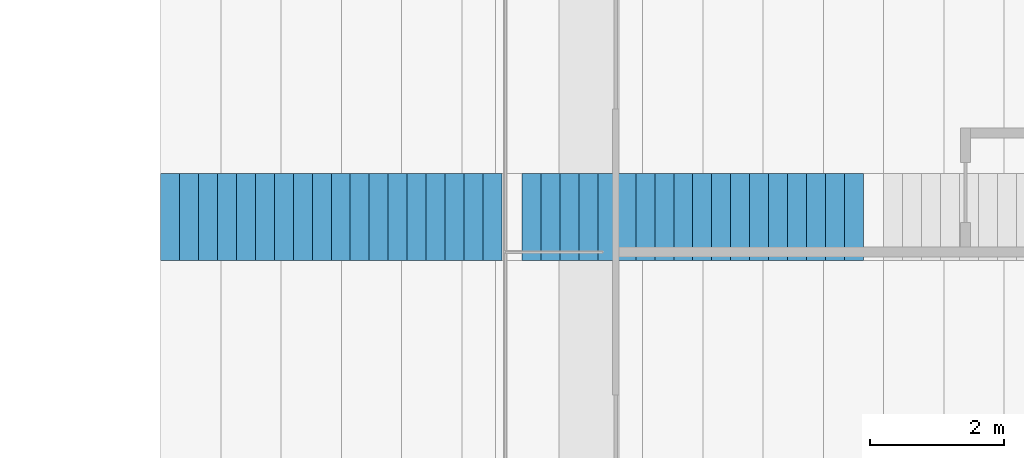
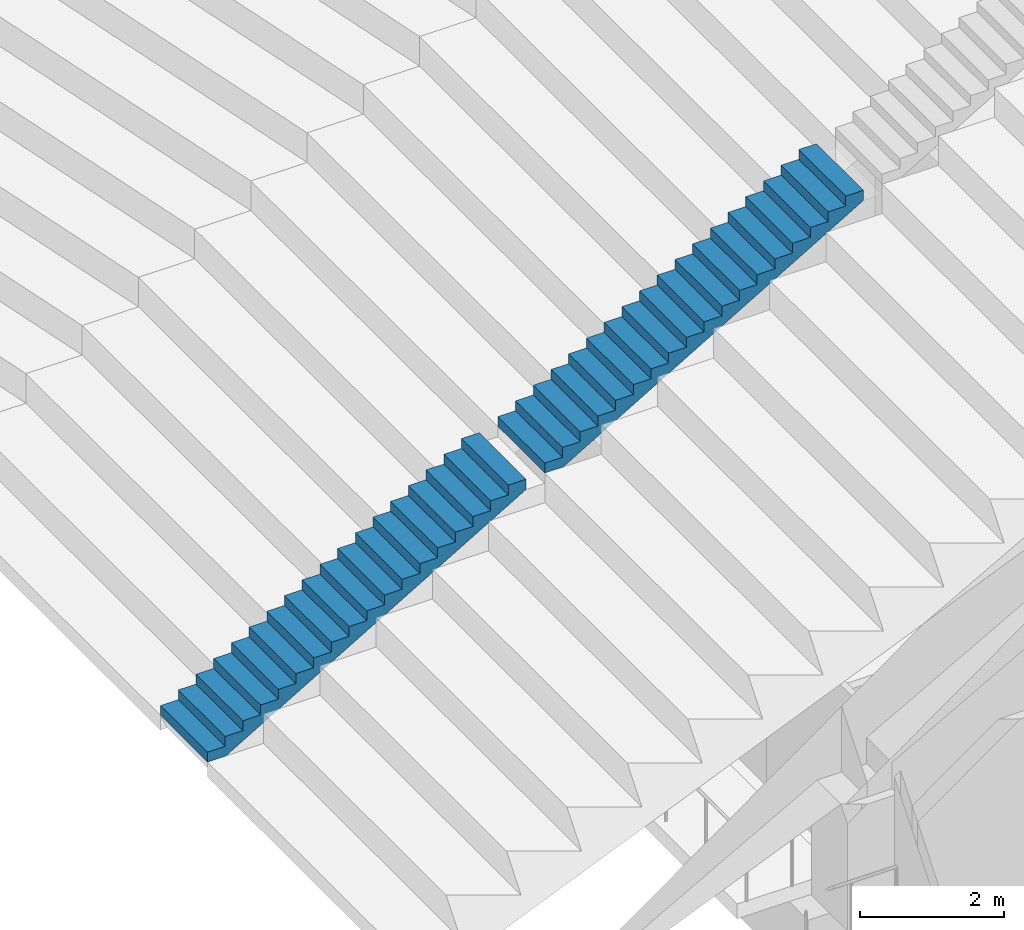
# One storey, part 219 of 249: 2 stair flights, 1 element without a shape of its own.
"""IFC4 building model written with IfcOpenShell, lengths in metres."""

from ifc_helpers import new_model, si_unit, direction, frame, origin, place, context, subcontext, project, spatial, faceted_brep, material, type_object, element, aggregate, save


model = new_model("IFC4")

# Units and contexts
model_context = context("Model", 3, precision=1e-05, world=origin(), true_north=direction((0.0, 1.0)))
body_context = subcontext(model_context, "Body", "Model", "MODEL_VIEW")
ifc_project = project(units=[si_unit("LENGTHUNIT", "METRE"), si_unit("AREAUNIT", "SQUARE_METRE"), si_unit("VOLUMEUNIT", "CUBIC_METRE"), si_unit("PLANEANGLEUNIT", "RADIAN"), si_unit("MASSUNIT", "GRAM", prefix="KILO")], contexts=[model_context])

# Site, building, storey
site_placement = place(None, origin())
site = spatial("IfcSite", under=ifc_project, at=site_placement, CompositionType="ELEMENT")
building_placement = place(site_placement, origin())
building = spatial("IfcBuilding", under=site, at=building_placement, Name="Ogive Plaza Stadium", CompositionType="ELEMENT")
storey_placement = place(building_placement, frame((0.0, 0.0, 13.5)))
storey = spatial("IfcBuildingStorey", under=building, at=storey_placement, Name="L03", CompositionType="ELEMENT", Elevation=13.5)

# Stair, stair flights
ifc_material_1 = material(Name="Concrete C40/50", Category="concrete")
stair_type = type_object("IfcStairType", Name="Aisle stair", PredefinedType="STRAIGHT_RUN_STAIR", material=ifc_material_1)
stair_placement = place(storey_placement, origin())
stair = element("IfcStair", 1, at=stair_placement, inside=storey, type_object=stair_type, Name="Aisle stair SA01U", PredefinedType="STRAIGHT_RUN_STAIR")
ifc_material_2 = material(Name="Concrete C40/50", Category="concrete")
stair_flight_type = type_object("IfcStairFlightType", Name="Aisle stair flight", PredefinedType="STRAIGHT", material=ifc_material_2)
stair_flight_1_placement = place(storey_placement, frame((55.5, 45.0, 0.5), z_axis=(0.0, 0.0, 1.0), x_axis=(1.0, 0.0, 0.0)))
stair_flight_1 = element("IfcStairFlight", 2, at=stair_flight_1_placement, type_object=stair_flight_type, Name="SA01U flight 1", NumberOfRisers=18, NumberOfTreads=17, PredefinedType="STRAIGHT", RiserHeight=0.166666667, TreadLength=0.283333333, context=body_context, shape_type="Brep", body=[
    faceted_brep([(0.295654296875, -0.64990234375, 0.0), (5.10009765625, -0.64990234375, 2.826171875), (5.10009765625, -0.64990234375, 3.0), (4.816650390625, -0.64990234375, 3.0), (4.816650390625, -0.64990234375, 2.833251953125), (4.533447265625, -0.64990234375, 2.833251953125), (4.533447265625, -0.64990234375, 2.666748046875), (4.25, -0.64990234375, 2.666748046875), (4.25, -0.64990234375, 2.5), (3.966552734375, -0.64990234375, 2.5), (3.966552734375, -0.64990234375, 2.333251953125), (3.683349609375, -0.64990234375, 2.333251953125), (3.683349609375, -0.64990234375, 2.166748046875), (3.39990234375, -0.64990234375, 2.166748046875), (3.39990234375, -0.64990234375, 2.0), (3.11669921875, -0.64990234375, 2.0), (3.11669921875, -0.64990234375, 1.833251953125), (2.833251953125, -0.64990234375, 1.833251953125), (2.833251953125, -0.64990234375, 1.666748046875), (2.550048828125, -0.64990234375, 1.666748046875), (2.550048828125, -0.64990234375, 1.5), (2.2666015625, -0.64990234375, 1.5), (2.2666015625, -0.64990234375, 1.333251953125), (1.9833984375, -0.64990234375, 1.333251953125), (1.9833984375, -0.64990234375, 1.166748046875), (1.699951171875, -0.64990234375, 1.166748046875), (1.699951171875, -0.64990234375, 1.0), (1.416748046875, -0.64990234375, 1.0), (1.416748046875, -0.64990234375, 0.833251953125), (1.13330078125, -0.64990234375, 0.833251953125), (1.13330078125, -0.64990234375, 0.666748046875), (0.85009765625, -0.64990234375, 0.666748046875), (0.85009765625, -0.64990234375, 0.5), (0.566650390625, -0.64990234375, 0.5), (0.566650390625, -0.64990234375, 0.333251953125), (0.283447265625, -0.64990234375, 0.333251953125), (0.283447265625, -0.64990234375, 0.166748046875), (0.0, -0.64990234375, 0.166748046875), (0.0, -0.64990234375, 0.0), (0.0, 0.64990234375, 0.0), (0.0, 0.64990234375, 0.166748046875), (0.283447265625, 0.64990234375, 0.166748046875), (0.283447265625, 0.64990234375, 0.333251953125), (0.566650390625, 0.64990234375, 0.333251953125), (0.566650390625, 0.64990234375, 0.5), (0.85009765625, 0.64990234375, 0.5), (0.85009765625, 0.64990234375, 0.666748046875), (1.13330078125, 0.64990234375, 0.666748046875), (1.13330078125, 0.64990234375, 0.833251953125), (1.416748046875, 0.64990234375, 0.833251953125), (1.416748046875, 0.64990234375, 1.0), (1.699951171875, 0.64990234375, 1.0), (1.699951171875, 0.64990234375, 1.166748046875), (1.9833984375, 0.64990234375, 1.166748046875), (1.9833984375, 0.64990234375, 1.333251953125), (2.2666015625, 0.64990234375, 1.333251953125), (2.2666015625, 0.64990234375, 1.5), (2.550048828125, 0.64990234375, 1.5), (2.550048828125, 0.64990234375, 1.666748046875), (2.833251953125, 0.64990234375, 1.666748046875), (2.833251953125, 0.64990234375, 1.833251953125), (3.11669921875, 0.64990234375, 1.833251953125), (3.11669921875, 0.64990234375, 2.0), (3.39990234375, 0.64990234375, 2.0), (3.39990234375, 0.64990234375, 2.166748046875), (3.683349609375, 0.64990234375, 2.166748046875), (3.683349609375, 0.64990234375, 2.333251953125), (3.966552734375, 0.64990234375, 2.333251953125), (3.966552734375, 0.64990234375, 2.5), (4.25, 0.64990234375, 2.5), (4.25, 0.64990234375, 2.666748046875), (4.533447265625, 0.64990234375, 2.666748046875), (4.533447265625, 0.64990234375, 2.833251953125), (4.816650390625, 0.64990234375, 2.833251953125), (4.816650390625, 0.64990234375, 3.0), (5.10009765625, 0.64990234375, 3.0), (5.10009765625, 0.64990234375, 2.826171875), (0.295654296875, 0.64990234375, 0.0), (0.295654296875, -0.324951171875, 0.0), (5.10009765625, -0.324951171875, 2.826171875), (0.295654296875, 0.0, 0.0), (5.10009765625, 0.0, 2.826171875), (0.295654296875, 0.324951171875, 0.0), (5.10009765625, 0.324951171875, 2.826171875), (5.10009765625, -0.324951171875, 3.0), (5.10009765625, 0.0, 3.0), (5.10009765625, 0.324951171875, 3.0), (4.816650390625, -0.324951171875, 3.0), (4.816650390625, 0.0, 3.0), (4.816650390625, 0.324951171875, 3.0), (4.816650390625, -0.324951171875, 2.833251953125), (4.816650390625, 0.0, 2.833251953125), (4.816650390625, 0.324951171875, 2.833251953125), (4.533447265625, -0.324951171875, 2.833251953125), (4.533447265625, 0.0, 2.833251953125), (4.533447265625, 0.324951171875, 2.833251953125), (4.533447265625, -0.324951171875, 2.666748046875), (4.533447265625, 0.0, 2.666748046875), (4.533447265625, 0.324951171875, 2.666748046875), (4.25, -0.324951171875, 2.666748046875), (4.25, 0.0, 2.666748046875), (4.25, 0.324951171875, 2.666748046875), (4.25, -0.324951171875, 2.5), (4.25, 0.0, 2.5), (4.25, 0.324951171875, 2.5), (3.966552734375, -0.324951171875, 2.5), (3.966552734375, 0.0, 2.5), (3.966552734375, 0.324951171875, 2.5), (3.966552734375, -0.324951171875, 2.333251953125), (3.966552734375, 0.0, 2.333251953125), (3.966552734375, 0.324951171875, 2.333251953125), (3.683349609375, -0.324951171875, 2.333251953125), (3.683349609375, 0.0, 2.333251953125), (3.683349609375, 0.324951171875, 2.333251953125), (3.683349609375, -0.324951171875, 2.166748046875), (3.683349609375, 0.0, 2.166748046875), (3.683349609375, 0.324951171875, 2.166748046875), (3.39990234375, -0.324951171875, 2.166748046875), (3.39990234375, 0.0, 2.166748046875), (3.39990234375, 0.324951171875, 2.166748046875), (3.39990234375, -0.324951171875, 2.0), (3.39990234375, 0.0, 2.0), (3.39990234375, 0.324951171875, 2.0), (3.11669921875, -0.324951171875, 2.0), (3.11669921875, 0.0, 2.0), (3.11669921875, 0.324951171875, 2.0), (3.11669921875, -0.324951171875, 1.833251953125), (3.11669921875, 0.0, 1.833251953125), (3.11669921875, 0.324951171875, 1.833251953125), (2.833251953125, -0.324951171875, 1.833251953125), (2.833251953125, 0.0, 1.833251953125), (2.833251953125, 0.324951171875, 1.833251953125), (2.833251953125, -0.324951171875, 1.666748046875), (2.833251953125, 0.0, 1.666748046875), (2.833251953125, 0.324951171875, 1.666748046875), (2.550048828125, -0.324951171875, 1.666748046875), (2.550048828125, 0.0, 1.666748046875), (2.550048828125, 0.324951171875, 1.666748046875), (2.550048828125, -0.324951171875, 1.5), (2.550048828125, 0.0, 1.5), (2.550048828125, 0.324951171875, 1.5), (2.2666015625, -0.324951171875, 1.5), (2.2666015625, 0.0, 1.5), (2.2666015625, 0.324951171875, 1.5), (2.2666015625, -0.324951171875, 1.333251953125), (2.2666015625, 0.0, 1.333251953125), (2.2666015625, 0.324951171875, 1.333251953125), (1.9833984375, -0.324951171875, 1.333251953125), (1.9833984375, 0.0, 1.333251953125), (1.9833984375, 0.324951171875, 1.333251953125), (1.9833984375, -0.324951171875, 1.166748046875), (1.9833984375, 0.0, 1.166748046875), (1.9833984375, 0.324951171875, 1.166748046875), (1.699951171875, -0.324951171875, 1.166748046875), (1.699951171875, 0.0, 1.166748046875), (1.699951171875, 0.324951171875, 1.166748046875), (1.699951171875, -0.324951171875, 1.0), (1.699951171875, 0.0, 1.0), (1.699951171875, 0.324951171875, 1.0), (1.416748046875, -0.324951171875, 1.0), (1.416748046875, 0.0, 1.0), (1.416748046875, 0.324951171875, 1.0), (1.416748046875, -0.324951171875, 0.833251953125), (1.416748046875, 0.0, 0.833251953125), (1.416748046875, 0.324951171875, 0.833251953125), (1.13330078125, -0.324951171875, 0.833251953125), (1.13330078125, 0.0, 0.833251953125), (1.13330078125, 0.324951171875, 0.833251953125), (1.13330078125, -0.324951171875, 0.666748046875), (1.13330078125, 0.0, 0.666748046875), (1.13330078125, 0.324951171875, 0.666748046875), (0.85009765625, -0.324951171875, 0.666748046875), (0.85009765625, 0.0, 0.666748046875), (0.85009765625, 0.324951171875, 0.666748046875), (0.85009765625, -0.324951171875, 0.5), (0.85009765625, 0.0, 0.5), (0.85009765625, 0.324951171875, 0.5), (0.566650390625, -0.324951171875, 0.5), (0.566650390625, 0.0, 0.5), (0.566650390625, 0.324951171875, 0.5), (0.566650390625, -0.324951171875, 0.333251953125), (0.566650390625, 0.0, 0.333251953125), (0.566650390625, 0.324951171875, 0.333251953125), (0.283447265625, -0.324951171875, 0.333251953125), (0.283447265625, 0.0, 0.333251953125), (0.283447265625, 0.324951171875, 0.333251953125), (0.283447265625, -0.324951171875, 0.166748046875), (0.283447265625, 0.0, 0.166748046875), (0.283447265625, 0.324951171875, 0.166748046875), (0.0, -0.324951171875, 0.166748046875), (0.0, 0.0, 0.166748046875), (0.0, 0.324951171875, 0.166748046875), (0.0, -0.324951171875, 0.0), (0.0, 0.0, 0.0), (0.0, 0.324951171875, 0.0)], [[[0, 1, 2, 3, 4, 5, 6, 7, 8, 9, 10, 11, 12, 13, 14, 15, 16, 17, 18, 19, 20, 21, 22, 23, 24, 25, 26, 27, 28, 29, 30, 31, 32, 33, 34, 35, 36, 37, 38]], [[39, 40, 41, 42, 43, 44, 45, 46, 47, 48, 49, 50, 51, 52, 53, 54, 55, 56, 57, 58, 59, 60, 61, 62, 63, 64, 65, 66, 67, 68, 69, 70, 71, 72, 73, 74, 75, 76, 77]], [[0, 78, 79, 1]], [[78, 80, 81, 79]], [[80, 82, 83, 81]], [[82, 77, 76, 83]], [[1, 79, 84, 2]], [[79, 81, 85, 84]], [[81, 83, 86, 85]], [[83, 76, 75, 86]], [[2, 84, 87, 3]], [[84, 85, 88, 87]], [[85, 86, 89, 88]], [[86, 75, 74, 89]], [[3, 87, 90, 4]], [[87, 88, 91, 90]], [[88, 89, 92, 91]], [[89, 74, 73, 92]], [[4, 90, 93, 5]], [[90, 91, 94, 93]], [[91, 92, 95, 94]], [[92, 73, 72, 95]], [[5, 93, 96, 6]], [[93, 94, 97, 96]], [[94, 95, 98, 97]], [[95, 72, 71, 98]], [[6, 96, 99, 7]], [[96, 97, 100, 99]], [[97, 98, 101, 100]], [[98, 71, 70, 101]], [[7, 99, 102, 8]], [[99, 100, 103, 102]], [[100, 101, 104, 103]], [[101, 70, 69, 104]], [[8, 102, 105, 9]], [[102, 103, 106, 105]], [[103, 104, 107, 106]], [[104, 69, 68, 107]], [[9, 105, 108, 10]], [[105, 106, 109, 108]], [[106, 107, 110, 109]], [[107, 68, 67, 110]], [[10, 108, 111, 11]], [[108, 109, 112, 111]], [[109, 110, 113, 112]], [[110, 67, 66, 113]], [[11, 111, 114, 12]], [[111, 112, 115, 114]], [[112, 113, 116, 115]], [[113, 66, 65, 116]], [[12, 114, 117, 13]], [[114, 115, 118, 117]], [[115, 116, 119, 118]], [[116, 65, 64, 119]], [[13, 117, 120, 14]], [[117, 118, 121, 120]], [[118, 119, 122, 121]], [[119, 64, 63, 122]], [[14, 120, 123, 15]], [[120, 121, 124, 123]], [[121, 122, 125, 124]], [[122, 63, 62, 125]], [[15, 123, 126, 16]], [[123, 124, 127, 126]], [[124, 125, 128, 127]], [[125, 62, 61, 128]], [[16, 126, 129, 17]], [[126, 127, 130, 129]], [[127, 128, 131, 130]], [[128, 61, 60, 131]], [[17, 129, 132, 18]], [[129, 130, 133, 132]], [[130, 131, 134, 133]], [[131, 60, 59, 134]], [[18, 132, 135, 19]], [[132, 133, 136, 135]], [[133, 134, 137, 136]], [[134, 59, 58, 137]], [[19, 135, 138, 20]], [[135, 136, 139, 138]], [[136, 137, 140, 139]], [[137, 58, 57, 140]], [[20, 138, 141, 21]], [[138, 139, 142, 141]], [[139, 140, 143, 142]], [[140, 57, 56, 143]], [[21, 141, 144, 22]], [[141, 142, 145, 144]], [[142, 143, 146, 145]], [[143, 56, 55, 146]], [[22, 144, 147, 23]], [[144, 145, 148, 147]], [[145, 146, 149, 148]], [[146, 55, 54, 149]], [[23, 147, 150, 24]], [[147, 148, 151, 150]], [[148, 149, 152, 151]], [[149, 54, 53, 152]], [[24, 150, 153, 25]], [[150, 151, 154, 153]], [[151, 152, 155, 154]], [[152, 53, 52, 155]], [[25, 153, 156, 26]], [[153, 154, 157, 156]], [[154, 155, 158, 157]], [[155, 52, 51, 158]], [[26, 156, 159, 27]], [[156, 157, 160, 159]], [[157, 158, 161, 160]], [[158, 51, 50, 161]], [[27, 159, 162, 28]], [[159, 160, 163, 162]], [[160, 161, 164, 163]], [[161, 50, 49, 164]], [[28, 162, 165, 29]], [[162, 163, 166, 165]], [[163, 164, 167, 166]], [[164, 49, 48, 167]], [[29, 165, 168, 30]], [[165, 166, 169, 168]], [[166, 167, 170, 169]], [[167, 48, 47, 170]], [[30, 168, 171, 31]], [[168, 169, 172, 171]], [[169, 170, 173, 172]], [[170, 47, 46, 173]], [[31, 171, 174, 32]], [[171, 172, 175, 174]], [[172, 173, 176, 175]], [[173, 46, 45, 176]], [[32, 174, 177, 33]], [[174, 175, 178, 177]], [[175, 176, 179, 178]], [[176, 45, 44, 179]], [[33, 177, 180, 34]], [[177, 178, 181, 180]], [[178, 179, 182, 181]], [[179, 44, 43, 182]], [[34, 180, 183, 35]], [[180, 181, 184, 183]], [[181, 182, 185, 184]], [[182, 43, 42, 185]], [[35, 183, 186, 36]], [[183, 184, 187, 186]], [[184, 185, 188, 187]], [[185, 42, 41, 188]], [[36, 186, 189, 37]], [[186, 187, 190, 189]], [[187, 188, 191, 190]], [[188, 41, 40, 191]], [[37, 189, 192, 38]], [[189, 190, 193, 192]], [[190, 191, 194, 193]], [[191, 40, 39, 194]], [[38, 192, 78, 0]], [[192, 193, 80, 78]], [[193, 194, 82, 80]], [[194, 39, 77, 82]]]),
])
stair_flight_2_placement = place(storey_placement, frame((60.89990234375, 45.0, 3.5), z_axis=(0.0, 0.0, 1.0), x_axis=(1.0, 0.0, 0.0)))
stair_flight_2 = element("IfcStairFlight", 3, at=stair_flight_2_placement, type_object=stair_flight_type, Name="SA01U flight 2", NumberOfRisers=18, NumberOfTreads=17, PredefinedType="STRAIGHT", RiserHeight=0.166666667, TreadLength=0.283333333, context=body_context, shape_type="Brep", body=[
    faceted_brep([(0.295654296875, -0.64990234375, 0.0), (5.10009765625, -0.64990234375, 2.826171875), (5.10009765625, -0.64990234375, 3.0), (4.816650390625, -0.64990234375, 3.0), (4.816650390625, -0.64990234375, 2.833251953125), (4.533447265625, -0.64990234375, 2.833251953125), (4.533447265625, -0.64990234375, 2.666748046875), (4.25, -0.64990234375, 2.666748046875), (4.25, -0.64990234375, 2.5), (3.966552734375, -0.64990234375, 2.5), (3.966552734375, -0.64990234375, 2.333251953125), (3.683349609375, -0.64990234375, 2.333251953125), (3.683349609375, -0.64990234375, 2.166748046875), (3.39990234375, -0.64990234375, 2.166748046875), (3.39990234375, -0.64990234375, 2.0), (3.11669921875, -0.64990234375, 2.0), (3.11669921875, -0.64990234375, 1.833251953125), (2.833251953125, -0.64990234375, 1.833251953125), (2.833251953125, -0.64990234375, 1.666748046875), (2.550048828125, -0.64990234375, 1.666748046875), (2.550048828125, -0.64990234375, 1.5), (2.2666015625, -0.64990234375, 1.5), (2.2666015625, -0.64990234375, 1.333251953125), (1.9833984375, -0.64990234375, 1.333251953125), (1.9833984375, -0.64990234375, 1.166748046875), (1.699951171875, -0.64990234375, 1.166748046875), (1.699951171875, -0.64990234375, 1.0), (1.416748046875, -0.64990234375, 1.0), (1.416748046875, -0.64990234375, 0.833251953125), (1.13330078125, -0.64990234375, 0.833251953125), (1.13330078125, -0.64990234375, 0.666748046875), (0.85009765625, -0.64990234375, 0.666748046875), (0.85009765625, -0.64990234375, 0.5), (0.566650390625, -0.64990234375, 0.5), (0.566650390625, -0.64990234375, 0.333251953125), (0.283447265625, -0.64990234375, 0.333251953125), (0.283447265625, -0.64990234375, 0.166748046875), (0.0, -0.64990234375, 0.166748046875), (0.0, -0.64990234375, 0.0), (0.0, 0.64990234375, 0.0), (0.0, 0.64990234375, 0.166748046875), (0.283447265625, 0.64990234375, 0.166748046875), (0.283447265625, 0.64990234375, 0.333251953125), (0.566650390625, 0.64990234375, 0.333251953125), (0.566650390625, 0.64990234375, 0.5), (0.85009765625, 0.64990234375, 0.5), (0.85009765625, 0.64990234375, 0.666748046875), (1.13330078125, 0.64990234375, 0.666748046875), (1.13330078125, 0.64990234375, 0.833251953125), (1.416748046875, 0.64990234375, 0.833251953125), (1.416748046875, 0.64990234375, 1.0), (1.699951171875, 0.64990234375, 1.0), (1.699951171875, 0.64990234375, 1.166748046875), (1.9833984375, 0.64990234375, 1.166748046875), (1.9833984375, 0.64990234375, 1.333251953125), (2.2666015625, 0.64990234375, 1.333251953125), (2.2666015625, 0.64990234375, 1.5), (2.550048828125, 0.64990234375, 1.5), (2.550048828125, 0.64990234375, 1.666748046875), (2.833251953125, 0.64990234375, 1.666748046875), (2.833251953125, 0.64990234375, 1.833251953125), (3.11669921875, 0.64990234375, 1.833251953125), (3.11669921875, 0.64990234375, 2.0), (3.39990234375, 0.64990234375, 2.0), (3.39990234375, 0.64990234375, 2.166748046875), (3.683349609375, 0.64990234375, 2.166748046875), (3.683349609375, 0.64990234375, 2.333251953125), (3.966552734375, 0.64990234375, 2.333251953125), (3.966552734375, 0.64990234375, 2.5), (4.25, 0.64990234375, 2.5), (4.25, 0.64990234375, 2.666748046875), (4.533447265625, 0.64990234375, 2.666748046875), (4.533447265625, 0.64990234375, 2.833251953125), (4.816650390625, 0.64990234375, 2.833251953125), (4.816650390625, 0.64990234375, 3.0), (5.10009765625, 0.64990234375, 3.0), (5.10009765625, 0.64990234375, 2.826171875), (0.295654296875, 0.64990234375, 0.0), (0.295654296875, -0.324951171875, 0.0), (5.10009765625, -0.324951171875, 2.826171875), (0.295654296875, 0.0, 0.0), (5.10009765625, 0.0, 2.826171875), (0.295654296875, 0.324951171875, 0.0), (5.10009765625, 0.324951171875, 2.826171875), (5.10009765625, -0.324951171875, 3.0), (5.10009765625, 0.0, 3.0), (5.10009765625, 0.324951171875, 3.0), (4.816650390625, -0.324951171875, 3.0), (4.816650390625, 0.0, 3.0), (4.816650390625, 0.324951171875, 3.0), (4.816650390625, -0.324951171875, 2.833251953125), (4.816650390625, 0.0, 2.833251953125), (4.816650390625, 0.324951171875, 2.833251953125), (4.533447265625, -0.324951171875, 2.833251953125), (4.533447265625, 0.0, 2.833251953125), (4.533447265625, 0.324951171875, 2.833251953125), (4.533447265625, -0.324951171875, 2.666748046875), (4.533447265625, 0.0, 2.666748046875), (4.533447265625, 0.324951171875, 2.666748046875), (4.25, -0.324951171875, 2.666748046875), (4.25, 0.0, 2.666748046875), (4.25, 0.324951171875, 2.666748046875), (4.25, -0.324951171875, 2.5), (4.25, 0.0, 2.5), (4.25, 0.324951171875, 2.5), (3.966552734375, -0.324951171875, 2.5), (3.966552734375, 0.0, 2.5), (3.966552734375, 0.324951171875, 2.5), (3.966552734375, -0.324951171875, 2.333251953125), (3.966552734375, 0.0, 2.333251953125), (3.966552734375, 0.324951171875, 2.333251953125), (3.683349609375, -0.324951171875, 2.333251953125), (3.683349609375, 0.0, 2.333251953125), (3.683349609375, 0.324951171875, 2.333251953125), (3.683349609375, -0.324951171875, 2.166748046875), (3.683349609375, 0.0, 2.166748046875), (3.683349609375, 0.324951171875, 2.166748046875), (3.39990234375, -0.324951171875, 2.166748046875), (3.39990234375, 0.0, 2.166748046875), (3.39990234375, 0.324951171875, 2.166748046875), (3.39990234375, -0.324951171875, 2.0), (3.39990234375, 0.0, 2.0), (3.39990234375, 0.324951171875, 2.0), (3.11669921875, -0.324951171875, 2.0), (3.11669921875, 0.0, 2.0), (3.11669921875, 0.324951171875, 2.0), (3.11669921875, -0.324951171875, 1.833251953125), (3.11669921875, 0.0, 1.833251953125), (3.11669921875, 0.324951171875, 1.833251953125), (2.833251953125, -0.324951171875, 1.833251953125), (2.833251953125, 0.0, 1.833251953125), (2.833251953125, 0.324951171875, 1.833251953125), (2.833251953125, -0.324951171875, 1.666748046875), (2.833251953125, 0.0, 1.666748046875), (2.833251953125, 0.324951171875, 1.666748046875), (2.550048828125, -0.324951171875, 1.666748046875), (2.550048828125, 0.0, 1.666748046875), (2.550048828125, 0.324951171875, 1.666748046875), (2.550048828125, -0.324951171875, 1.5), (2.550048828125, 0.0, 1.5), (2.550048828125, 0.324951171875, 1.5), (2.2666015625, -0.324951171875, 1.5), (2.2666015625, 0.0, 1.5), (2.2666015625, 0.324951171875, 1.5), (2.2666015625, -0.324951171875, 1.333251953125), (2.2666015625, 0.0, 1.333251953125), (2.2666015625, 0.324951171875, 1.333251953125), (1.9833984375, -0.324951171875, 1.333251953125), (1.9833984375, 0.0, 1.333251953125), (1.9833984375, 0.324951171875, 1.333251953125), (1.9833984375, -0.324951171875, 1.166748046875), (1.9833984375, 0.0, 1.166748046875), (1.9833984375, 0.324951171875, 1.166748046875), (1.699951171875, -0.324951171875, 1.166748046875), (1.699951171875, 0.0, 1.166748046875), (1.699951171875, 0.324951171875, 1.166748046875), (1.699951171875, -0.324951171875, 1.0), (1.699951171875, 0.0, 1.0), (1.699951171875, 0.324951171875, 1.0), (1.416748046875, -0.324951171875, 1.0), (1.416748046875, 0.0, 1.0), (1.416748046875, 0.324951171875, 1.0), (1.416748046875, -0.324951171875, 0.833251953125), (1.416748046875, 0.0, 0.833251953125), (1.416748046875, 0.324951171875, 0.833251953125), (1.13330078125, -0.324951171875, 0.833251953125), (1.13330078125, 0.0, 0.833251953125), (1.13330078125, 0.324951171875, 0.833251953125), (1.13330078125, -0.324951171875, 0.666748046875), (1.13330078125, 0.0, 0.666748046875), (1.13330078125, 0.324951171875, 0.666748046875), (0.85009765625, -0.324951171875, 0.666748046875), (0.85009765625, 0.0, 0.666748046875), (0.85009765625, 0.324951171875, 0.666748046875), (0.85009765625, -0.324951171875, 0.5), (0.85009765625, 0.0, 0.5), (0.85009765625, 0.324951171875, 0.5), (0.566650390625, -0.324951171875, 0.5), (0.566650390625, 0.0, 0.5), (0.566650390625, 0.324951171875, 0.5), (0.566650390625, -0.324951171875, 0.333251953125), (0.566650390625, 0.0, 0.333251953125), (0.566650390625, 0.324951171875, 0.333251953125), (0.283447265625, -0.324951171875, 0.333251953125), (0.283447265625, 0.0, 0.333251953125), (0.283447265625, 0.324951171875, 0.333251953125), (0.283447265625, -0.324951171875, 0.166748046875), (0.283447265625, 0.0, 0.166748046875), (0.283447265625, 0.324951171875, 0.166748046875), (0.0, -0.324951171875, 0.166748046875), (0.0, 0.0, 0.166748046875), (0.0, 0.324951171875, 0.166748046875), (0.0, -0.324951171875, 0.0), (0.0, 0.0, 0.0), (0.0, 0.324951171875, 0.0)], [[[0, 1, 2, 3, 4, 5, 6, 7, 8, 9, 10, 11, 12, 13, 14, 15, 16, 17, 18, 19, 20, 21, 22, 23, 24, 25, 26, 27, 28, 29, 30, 31, 32, 33, 34, 35, 36, 37, 38]], [[39, 40, 41, 42, 43, 44, 45, 46, 47, 48, 49, 50, 51, 52, 53, 54, 55, 56, 57, 58, 59, 60, 61, 62, 63, 64, 65, 66, 67, 68, 69, 70, 71, 72, 73, 74, 75, 76, 77]], [[0, 78, 79, 1]], [[78, 80, 81, 79]], [[80, 82, 83, 81]], [[82, 77, 76, 83]], [[1, 79, 84, 2]], [[79, 81, 85, 84]], [[81, 83, 86, 85]], [[83, 76, 75, 86]], [[2, 84, 87, 3]], [[84, 85, 88, 87]], [[85, 86, 89, 88]], [[86, 75, 74, 89]], [[3, 87, 90, 4]], [[87, 88, 91, 90]], [[88, 89, 92, 91]], [[89, 74, 73, 92]], [[4, 90, 93, 5]], [[90, 91, 94, 93]], [[91, 92, 95, 94]], [[92, 73, 72, 95]], [[5, 93, 96, 6]], [[93, 94, 97, 96]], [[94, 95, 98, 97]], [[95, 72, 71, 98]], [[6, 96, 99, 7]], [[96, 97, 100, 99]], [[97, 98, 101, 100]], [[98, 71, 70, 101]], [[7, 99, 102, 8]], [[99, 100, 103, 102]], [[100, 101, 104, 103]], [[101, 70, 69, 104]], [[8, 102, 105, 9]], [[102, 103, 106, 105]], [[103, 104, 107, 106]], [[104, 69, 68, 107]], [[9, 105, 108, 10]], [[105, 106, 109, 108]], [[106, 107, 110, 109]], [[107, 68, 67, 110]], [[10, 108, 111, 11]], [[108, 109, 112, 111]], [[109, 110, 113, 112]], [[110, 67, 66, 113]], [[11, 111, 114, 12]], [[111, 112, 115, 114]], [[112, 113, 116, 115]], [[113, 66, 65, 116]], [[12, 114, 117, 13]], [[114, 115, 118, 117]], [[115, 116, 119, 118]], [[116, 65, 64, 119]], [[13, 117, 120, 14]], [[117, 118, 121, 120]], [[118, 119, 122, 121]], [[119, 64, 63, 122]], [[14, 120, 123, 15]], [[120, 121, 124, 123]], [[121, 122, 125, 124]], [[122, 63, 62, 125]], [[15, 123, 126, 16]], [[123, 124, 127, 126]], [[124, 125, 128, 127]], [[125, 62, 61, 128]], [[16, 126, 129, 17]], [[126, 127, 130, 129]], [[127, 128, 131, 130]], [[128, 61, 60, 131]], [[17, 129, 132, 18]], [[129, 130, 133, 132]], [[130, 131, 134, 133]], [[131, 60, 59, 134]], [[18, 132, 135, 19]], [[132, 133, 136, 135]], [[133, 134, 137, 136]], [[134, 59, 58, 137]], [[19, 135, 138, 20]], [[135, 136, 139, 138]], [[136, 137, 140, 139]], [[137, 58, 57, 140]], [[20, 138, 141, 21]], [[138, 139, 142, 141]], [[139, 140, 143, 142]], [[140, 57, 56, 143]], [[21, 141, 144, 22]], [[141, 142, 145, 144]], [[142, 143, 146, 145]], [[143, 56, 55, 146]], [[22, 144, 147, 23]], [[144, 145, 148, 147]], [[145, 146, 149, 148]], [[146, 55, 54, 149]], [[23, 147, 150, 24]], [[147, 148, 151, 150]], [[148, 149, 152, 151]], [[149, 54, 53, 152]], [[24, 150, 153, 25]], [[150, 151, 154, 153]], [[151, 152, 155, 154]], [[152, 53, 52, 155]], [[25, 153, 156, 26]], [[153, 154, 157, 156]], [[154, 155, 158, 157]], [[155, 52, 51, 158]], [[26, 156, 159, 27]], [[156, 157, 160, 159]], [[157, 158, 161, 160]], [[158, 51, 50, 161]], [[27, 159, 162, 28]], [[159, 160, 163, 162]], [[160, 161, 164, 163]], [[161, 50, 49, 164]], [[28, 162, 165, 29]], [[162, 163, 166, 165]], [[163, 164, 167, 166]], [[164, 49, 48, 167]], [[29, 165, 168, 30]], [[165, 166, 169, 168]], [[166, 167, 170, 169]], [[167, 48, 47, 170]], [[30, 168, 171, 31]], [[168, 169, 172, 171]], [[169, 170, 173, 172]], [[170, 47, 46, 173]], [[31, 171, 174, 32]], [[171, 172, 175, 174]], [[172, 173, 176, 175]], [[173, 46, 45, 176]], [[32, 174, 177, 33]], [[174, 175, 178, 177]], [[175, 176, 179, 178]], [[176, 45, 44, 179]], [[33, 177, 180, 34]], [[177, 178, 181, 180]], [[178, 179, 182, 181]], [[179, 44, 43, 182]], [[34, 180, 183, 35]], [[180, 181, 184, 183]], [[181, 182, 185, 184]], [[182, 43, 42, 185]], [[35, 183, 186, 36]], [[183, 184, 187, 186]], [[184, 185, 188, 187]], [[185, 42, 41, 188]], [[36, 186, 189, 37]], [[186, 187, 190, 189]], [[187, 188, 191, 190]], [[188, 41, 40, 191]], [[37, 189, 192, 38]], [[189, 190, 193, 192]], [[190, 191, 194, 193]], [[191, 40, 39, 194]], [[38, 192, 78, 0]], [[192, 193, 80, 78]], [[193, 194, 82, 80]], [[194, 39, 77, 82]]]),
])
aggregate(stair, [stair_flight_1, stair_flight_2])

save(model, "model.ifc")
